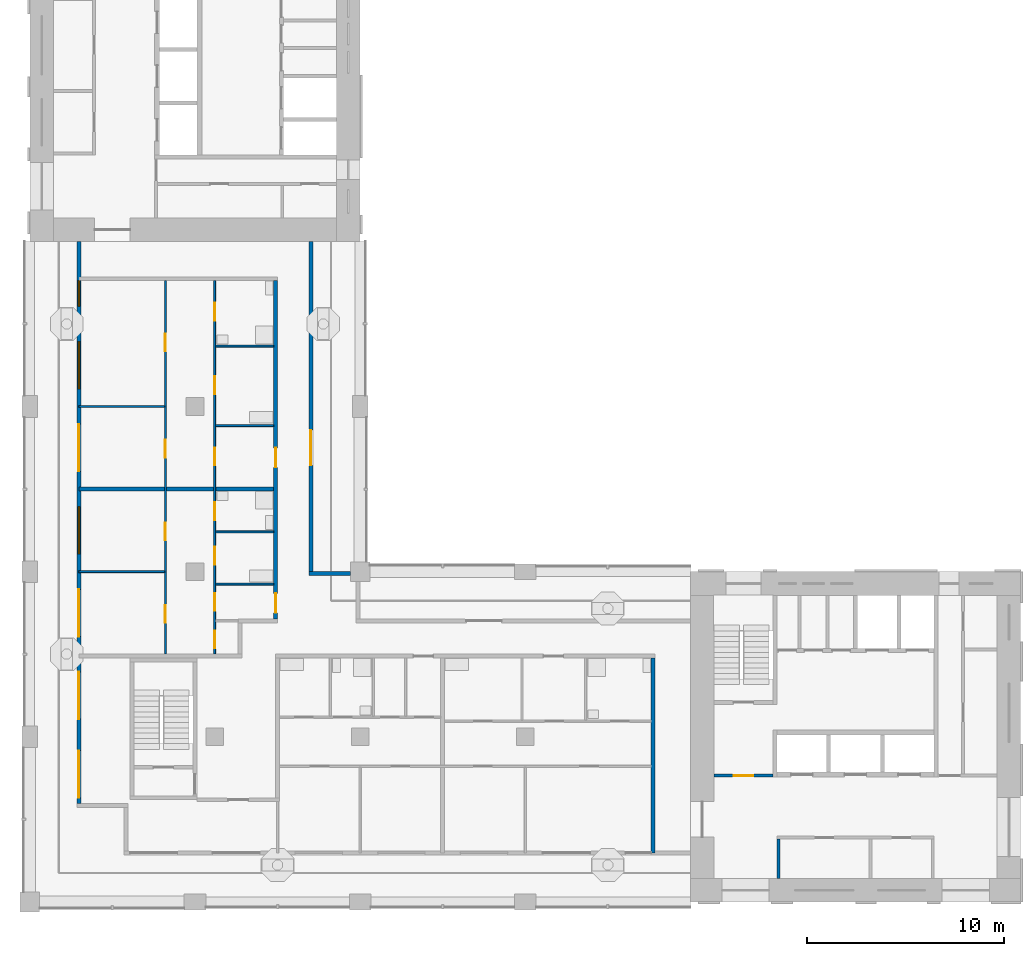
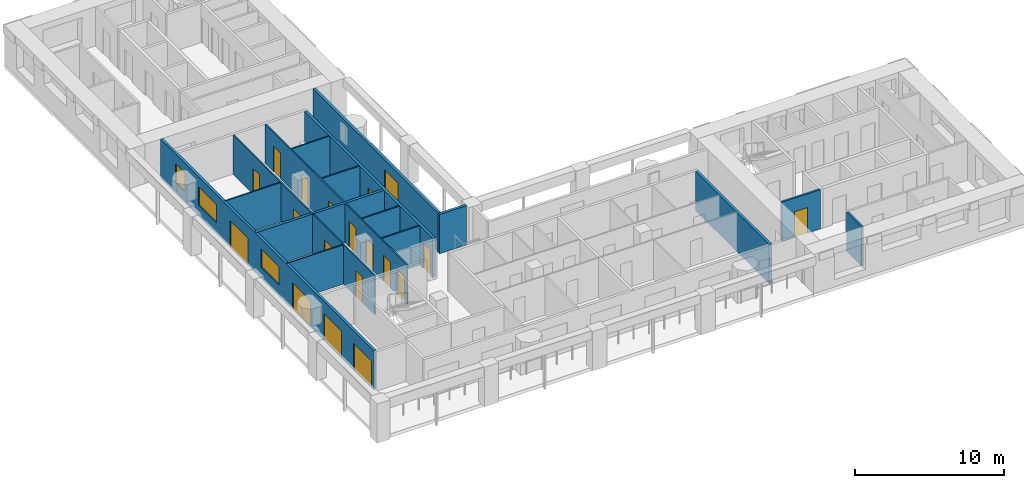
# One storey, part 3 of 12: 19 doors, 16 walls, 3 windows, 22 openings.
"""IFC4 building model written with IfcOpenShell, lengths in metres."""

from ifc_helpers import new_model, si_unit, direction, frame, frame_2d, origin, place, context, subcontext, project, spatial, rectangle, extrude, material, layer, layer_set, type_object, element, fill, save


model = new_model("IFC4")

# Units and contexts
model_context = context("Model", 3, precision=1e-05, world=origin(), true_north=direction((0.0, 1.0)))
body_context = subcontext(model_context, "Body", "Model", "MODEL_VIEW")
ifc_project = project(units=[si_unit("LENGTHUNIT", "METRE"), si_unit("AREAUNIT", "SQUARE_METRE"), si_unit("VOLUMEUNIT", "CUBIC_METRE"), si_unit("PLANEANGLEUNIT", "RADIAN"), si_unit("MASSUNIT", "GRAM", prefix="KILO")], contexts=[model_context])

# Site, building, storey
site_placement = place(None, origin())
site = spatial("IfcSite", under=ifc_project, at=site_placement, CompositionType="ELEMENT")
building_placement = place(site_placement, origin())
building = spatial("IfcBuilding", under=site, at=building_placement, Name="Vermilion Gate Residences", CompositionType="ELEMENT")
storey_placement = place(building_placement, frame((0.0, 0.0, 217.699951171875)))
storey = spatial("IfcBuildingStorey", under=building, at=storey_placement, Name="L56", CompositionType="ELEMENT", Elevation=217.699951171875)

# Wall
ifc_material_1 = material(Name="Masonry blockwork", Category="masonry")
ifc_layer_1 = layer(ifc_material_1, 0.14990234375)
ifc_layer_set_1 = layer_set([ifc_layer_1], Name="BLOCKWORK PARTITION 150 EI 120")
wall_type_1 = type_object("IfcWallType", Name="BLOCKWORK PARTITION 150 EI 120", PredefinedType="PARTITIONING", material=ifc_layer_set_1)
wall_1_placement = place(storey_placement, frame((46.47509765625, 9.60009765625, 0.0), z_axis=(0.0, 0.0, 1.0), x_axis=(0.0, 1.0, 0.0)))
element("IfcWall", 1, at=wall_1_placement, inside=storey, type_object=wall_type_1, Name="Core room partition A56-RW-W", PredefinedType="PARTITIONING", context=body_context, shape_type="SweptSolid", body=[
    extrude(rectangle(XDim=2.0, YDim=0.14990234375, at=frame_2d((1.0, 0.0))), origin(), (0.0, 0.0, 1.0), 3.219970703125),
])

# Wall, opening, door
wall_2_placement = place(storey_placement, frame((43.199951171875, 14.824951171875, 0.0), z_axis=(0.0, 0.0, 1.0), x_axis=(1.0, 0.0, 0.0)))
wall_2 = element("IfcWall", 2, at=wall_2_placement, inside=storey, type_object=wall_type_1, Name="Core room partition A56-VW-S", PredefinedType="PARTITIONING", context=body_context, shape_type="SweptSolid", body=[
    extrude(rectangle(XDim=3.0, YDim=0.14990234375, at=frame_2d((1.5, 0.0))), origin(), (0.0, 0.0, 1.0), 3.219970703125),
])
opening_1_placement = place(wall_2_placement, frame((1.0, 0.0, 0.0)))
opening_1 = element("IfcOpeningElement", 3, at=opening_1_placement, cuts=wall_2, Name="Opening DK56012", PredefinedType="OPENING", context=body_context, shape_type="SweptSolid", body=[
    extrude(rectangle(XDim=1.0, YDim=2.10009765625, at=frame_2d((0.5, 1.050048828125))), frame((0.0, 0.0849609375, 0.0), z_axis=(0.0, -1.0, 0.0), x_axis=(1.0, 0.0, 0.0)), (0.0, 0.0, 1.0), 0.169921875),
])
ifc_material_2 = material(Name="Steel", Category="steel")
door_type_1 = type_object("IfcDoorType", Name="FIRE DOOR FD60 1000 X 2100", OperationType="SINGLE_SWING_LEFT", PredefinedType="DOOR", material=ifc_material_2)
door_1_placement = place(opening_1_placement, frame((1.0, 0.0, 0.0), z_axis=(0.0, 0.0, 1.0), x_axis=(-1.0, 0.0, 0.0)))
door_1 = element("IfcDoor", 4, at=door_1_placement, inside=storey, type_object=door_type_1, Name="Stair vestibule door A56", OperationType="SINGLE_SWING_RIGHT", OverallHeight=2.10009765625, OverallWidth=1.0, PredefinedType="DOOR", context=body_context, shape_type="SweptSolid", body=[
    extrude(rectangle(XDim=1.0, YDim=2.10009765625, at=frame_2d((0.5, 1.050048828125))), frame((0.0, 0.02490234375, 0.0), z_axis=(0.0, -1.0, 0.0), x_axis=(1.0, 0.0, 0.0)), (0.0, 0.0, 1.0), 0.050048828125),
])
fill(opening_1, door_1)

# Wall, openings, doors, windows
ifc_material_3 = material(Name="Insulated steel stud wall with terracotta rainscreen", Category="masonry")
ifc_layer_2 = layer(ifc_material_3, 0.199951171875)
ifc_layer_set_2 = layer_set([ifc_layer_2], Name="EXTERNAL WALL 200 TERRACOTTA RAINSCREEN")
wall_type_2 = type_object("IfcWallType", Name="EXTERNAL WALL 200 TERRACOTTA RAINSCREEN", PredefinedType="SOLIDWALL", material=ifc_layer_set_2)
wall_3_placement = place(storey_placement, frame((10.89990234375, 42.0, 0.0), z_axis=(0.0, 0.0, 1.0), x_axis=(0.0, -1.0, 0.0)))
wall_3 = element("IfcWall", 5, at=wall_3_placement, inside=storey, type_object=wall_type_2, Name="External wall", PredefinedType="SOLIDWALL", context=body_context, shape_type="SweptSolid", body=[
    extrude(rectangle(XDim=28.60009765625, YDim=0.199951171875, at=frame_2d((14.300048828125, 0.0))), origin(), (0.0, 0.0, 1.0), 3.219970703125),
])
opening_2_placement = place(wall_3_placement, frame((25.89990234375, 0.0, 0.0)))
opening_2 = element("IfcOpeningElement", 6, at=opening_2_placement, cuts=wall_3, Name="Opening DE56001", PredefinedType="OPENING", context=body_context, shape_type="SweptSolid", body=[
    extrude(rectangle(XDim=2.39990234375, YDim=2.199951171875, at=frame_2d((1.199951171875, 1.10009765625))), frame((0.0, 0.10986328125, 0.0), z_axis=(0.0, -1.0, 0.0), x_axis=(1.0, 0.0, 0.0)), (0.0, 0.0, 1.0), 0.219970703125),
])
opening_3_placement = place(wall_3_placement, frame((21.89990234375, 0.0, 0.0)))
opening_3 = element("IfcOpeningElement", 7, at=opening_3_placement, cuts=wall_3, Name="Opening DE56002", PredefinedType="OPENING", context=body_context, shape_type="SweptSolid", body=[
    extrude(rectangle(XDim=2.39990234375, YDim=2.199951171875, at=frame_2d((1.199951171875, 1.10009765625))), frame((0.0, 0.10986328125, 0.0), z_axis=(0.0, -1.0, 0.0), x_axis=(1.0, 0.0, 0.0)), (0.0, 0.0, 1.0), 0.219970703125),
])
opening_4_placement = place(wall_3_placement, frame((17.699951171875, 0.0, 0.0)))
opening_4 = element("IfcOpeningElement", 8, at=opening_4_placement, cuts=wall_3, Name="Opening DE56003", PredefinedType="OPENING", context=body_context, shape_type="SweptSolid", body=[
    extrude(rectangle(XDim=2.39990234375, YDim=2.199951171875, at=frame_2d((1.199951171875, 1.10009765625))), frame((0.0, 0.10986328125, 0.0), z_axis=(0.0, -1.0, 0.0), x_axis=(1.0, 0.0, 0.0)), (0.0, 0.0, 1.0), 0.219970703125),
])
opening_5_placement = place(wall_3_placement, frame((13.5, 0.0, 0.89990234375)))
opening_5 = element("IfcOpeningElement", 9, at=opening_5_placement, cuts=wall_3, Name="Opening WE56004", PredefinedType="OPENING", context=body_context, shape_type="SweptSolid", body=[
    extrude(rectangle(XDim=2.39990234375, YDim=1.5, at=frame_2d((1.199951171875, 0.75))), frame((0.0, 0.10986328125, 0.0), z_axis=(0.0, -1.0, 0.0), x_axis=(1.0, 0.0, 0.0)), (0.0, 0.0, 1.0), 0.219970703125),
])
opening_6_placement = place(wall_3_placement, frame((9.300048828125, 0.0, 0.0)))
opening_6 = element("IfcOpeningElement", 10, at=opening_6_placement, cuts=wall_3, Name="Opening DE56005", PredefinedType="OPENING", context=body_context, shape_type="SweptSolid", body=[
    extrude(rectangle(XDim=2.39990234375, YDim=2.199951171875, at=frame_2d((1.199951171875, 1.10009765625))), frame((0.0, 0.10986328125, 0.0), z_axis=(0.0, -1.0, 0.0), x_axis=(1.0, 0.0, 0.0)), (0.0, 0.0, 1.0), 0.219970703125),
])
opening_7_placement = place(wall_3_placement, frame((5.10009765625, 0.0, 0.89990234375)))
opening_7 = element("IfcOpeningElement", 11, at=opening_7_placement, cuts=wall_3, Name="Opening WE56006", PredefinedType="OPENING", context=body_context, shape_type="SweptSolid", body=[
    extrude(rectangle(XDim=2.39990234375, YDim=1.5, at=frame_2d((1.199951171875, 0.75))), frame((0.0, 0.10986328125, 0.0), z_axis=(0.0, -1.0, 0.0), x_axis=(1.0, 0.0, 0.0)), (0.0, 0.0, 1.0), 0.219970703125),
])
opening_8_placement = place(wall_3_placement, frame((2.0, 0.0, 0.89990234375)))
opening_8 = element("IfcOpeningElement", 12, at=opening_8_placement, cuts=wall_3, Name="Opening WE56007", PredefinedType="OPENING", context=body_context, shape_type="SweptSolid", body=[
    extrude(rectangle(XDim=1.300048828125, YDim=1.5, at=frame_2d((0.64990234375, 0.75))), frame((0.0, 0.10986328125, 0.0), z_axis=(0.0, -1.0, 0.0), x_axis=(1.0, 0.0, 0.0)), (0.0, 0.0, 1.0), 0.219970703125),
])
ifc_material_4 = material(Name="Aluminium and clear glass", Category="aluminium")
door_type_2 = type_object("IfcDoorType", Name="SLIDING GLAZED DOOR 2400 X 2200", OperationType="DOUBLE_DOOR_SLIDING", PredefinedType="DOOR", material=ifc_material_4)
door_2_placement = place(opening_2_placement, origin())
door_2 = element("IfcDoor", 13, at=door_2_placement, inside=storey, type_object=door_type_2, Name="Loggia sliding door", OperationType="DOUBLE_DOOR_SLIDING", OverallHeight=2.199951171875, OverallWidth=2.39990234375, PredefinedType="DOOR", context=body_context, shape_type="SweptSolid", body=[
    extrude(rectangle(XDim=2.39990234375, YDim=2.199951171875, at=frame_2d((1.199951171875, 1.10009765625))), frame((0.0, 0.02490234375, 0.0), z_axis=(0.0, -1.0, 0.0), x_axis=(1.0, 0.0, 0.0)), (0.0, 0.0, 1.0), 0.050048828125),
])
fill(opening_2, door_2)
door_3_placement = place(opening_3_placement, origin())
door_3 = element("IfcDoor", 14, at=door_3_placement, inside=storey, type_object=door_type_2, Name="Loggia sliding door", OperationType="DOUBLE_DOOR_SLIDING", OverallHeight=2.199951171875, OverallWidth=2.39990234375, PredefinedType="DOOR", context=body_context, shape_type="SweptSolid", body=[
    extrude(rectangle(XDim=2.39990234375, YDim=2.199951171875, at=frame_2d((1.199951171875, 1.10009765625))), frame((0.0, 0.02490234375, 0.0), z_axis=(0.0, -1.0, 0.0), x_axis=(1.0, 0.0, 0.0)), (0.0, 0.0, 1.0), 0.050048828125),
])
fill(opening_3, door_3)
door_4_placement = place(opening_4_placement, origin())
door_4 = element("IfcDoor", 15, at=door_4_placement, inside=storey, type_object=door_type_2, Name="Loggia sliding door", OperationType="DOUBLE_DOOR_SLIDING", OverallHeight=2.199951171875, OverallWidth=2.39990234375, PredefinedType="DOOR", context=body_context, shape_type="SweptSolid", body=[
    extrude(rectangle(XDim=2.39990234375, YDim=2.199951171875, at=frame_2d((1.199951171875, 1.10009765625))), frame((0.0, 0.02490234375, 0.0), z_axis=(0.0, -1.0, 0.0), x_axis=(1.0, 0.0, 0.0)), (0.0, 0.0, 1.0), 0.050048828125),
])
fill(opening_4, door_4)
door_5_placement = place(opening_6_placement, origin())
door_5 = element("IfcDoor", 16, at=door_5_placement, inside=storey, type_object=door_type_2, Name="Loggia sliding door", OperationType="DOUBLE_DOOR_SLIDING", OverallHeight=2.199951171875, OverallWidth=2.39990234375, PredefinedType="DOOR", context=body_context, shape_type="SweptSolid", body=[
    extrude(rectangle(XDim=2.39990234375, YDim=2.199951171875, at=frame_2d((1.199951171875, 1.10009765625))), frame((0.0, 0.02490234375, 0.0), z_axis=(0.0, -1.0, 0.0), x_axis=(1.0, 0.0, 0.0)), (0.0, 0.0, 1.0), 0.050048828125),
])
fill(opening_6, door_5)
ifc_material_5 = material(Name="Aluminium and clear glass", Category="aluminium")
window_type_1 = type_object("IfcWindowType", Name="WINDOW 1300 X 1500", PartitioningType="SINGLE_PANEL", PredefinedType="WINDOW", material=ifc_material_5)
window_1_placement = place(opening_8_placement, origin())
window_1 = element("IfcWindow", 17, at=window_1_placement, inside=storey, type_object=window_type_1, Name="Window", OverallHeight=1.5, OverallWidth=1.300048828125, PartitioningType="SINGLE_PANEL", PredefinedType="WINDOW", context=body_context, shape_type="SweptSolid", body=[
    extrude(rectangle(XDim=1.300048828125, YDim=1.5, at=frame_2d((0.64990234375, 0.75))), frame((0.0, 0.030029296875, 0.0), z_axis=(0.0, -1.0, 0.0), x_axis=(1.0, 0.0, 0.0)), (0.0, 0.0, 1.0), 0.06005859375),
])
fill(opening_8, window_1)
ifc_material_6 = material(Name="Aluminium and clear glass", Category="aluminium")
window_type_2 = type_object("IfcWindowType", Name="WINDOW 2400 X 1500", PartitioningType="SINGLE_PANEL", PredefinedType="WINDOW", material=ifc_material_6)
window_2_placement = place(opening_5_placement, origin())
window_2 = element("IfcWindow", 18, at=window_2_placement, inside=storey, type_object=window_type_2, Name="Window", OverallHeight=1.5, OverallWidth=2.39990234375, PartitioningType="SINGLE_PANEL", PredefinedType="WINDOW", context=body_context, shape_type="SweptSolid", body=[
    extrude(rectangle(XDim=2.39990234375, YDim=1.5, at=frame_2d((1.199951171875, 0.75))), frame((0.0, 0.030029296875, 0.0), z_axis=(0.0, -1.0, 0.0), x_axis=(1.0, 0.0, 0.0)), (0.0, 0.0, 1.0), 0.06005859375),
])
fill(opening_5, window_2)
window_3_placement = place(opening_7_placement, origin())
window_3 = element("IfcWindow", 19, at=window_3_placement, inside=storey, type_object=window_type_2, Name="Window", OverallHeight=1.5, OverallWidth=2.39990234375, PartitioningType="SINGLE_PANEL", PredefinedType="WINDOW", context=body_context, shape_type="SweptSolid", body=[
    extrude(rectangle(XDim=2.39990234375, YDim=1.5, at=frame_2d((1.199951171875, 0.75))), frame((0.0, 0.030029296875, 0.0), z_axis=(0.0, -1.0, 0.0), x_axis=(1.0, 0.0, 0.0)), (0.0, 0.0, 1.0), 0.06005859375),
])
fill(opening_7, window_3)

# Wall
wall_4_placement = place(storey_placement, frame((24.699951171875, 25.10009765625, 0.0), z_axis=(0.0, 0.0, 1.0), x_axis=(-1.0, 0.0, 0.0)))
element("IfcWall", 20, at=wall_4_placement, inside=storey, type_object=wall_type_2, Name="External wall", PredefinedType="SOLIDWALL", context=body_context, shape_type="SweptSolid", body=[
    extrude(rectangle(XDim=2.099853515625, YDim=0.199951171875, at=frame_2d((1.0498046875, 0.0))), origin(), (0.0, 0.0, 1.0), 3.219970703125),
])

# Wall, opening, door
wall_5_placement = place(storey_placement, frame((22.699951171875, 25.199951171875, 0.0), z_axis=(0.0, 0.0, 1.0), x_axis=(0.0, 1.0, 0.0)))
wall_5 = element("IfcWall", 21, at=wall_5_placement, inside=storey, type_object=wall_type_2, Name="External wall", PredefinedType="SOLIDWALL", context=body_context, shape_type="SweptSolid", body=[
    extrude(rectangle(XDim=16.800048828125, YDim=0.199951171875, at=frame_2d((8.39990234375, 0.0))), origin(), (0.0, 0.0, 1.0), 3.219970703125),
])
opening_9_placement = place(wall_5_placement, frame((5.39990234375, 0.0, 0.0)))
opening_9 = element("IfcOpeningElement", 22, at=opening_9_placement, cuts=wall_5, Name="Opening DE56016", PredefinedType="OPENING", context=body_context, shape_type="SweptSolid", body=[
    extrude(rectangle(XDim=1.800048828125, YDim=2.39990234375, at=frame_2d((0.89990234375, 1.199951171875))), frame((0.0, 0.10986328125, 0.0), z_axis=(0.0, -1.0, 0.0), x_axis=(1.0, 0.0, 0.0)), (0.0, 0.0, 1.0), 0.219970703125),
])
ifc_material_7 = material(Name="Aluminium and clear glass", Category="aluminium")
door_type_3 = type_object("IfcDoorType", Name="GLAZED EXTERNAL DOOR 1800 X 2400", OperationType="DOUBLE_DOOR_SINGLE_SWING", PredefinedType="DOOR", material=ifc_material_7)
door_6_placement = place(opening_9_placement, frame((1.800048828125, 0.0, 0.0), z_axis=(0.0, 0.0, 1.0), x_axis=(-1.0, 0.0, 0.0)))
door_6 = element("IfcDoor", 23, at=door_6_placement, inside=storey, type_object=door_type_3, Name="Gallery door", OperationType="DOUBLE_DOOR_SINGLE_SWING", OverallHeight=2.39990234375, OverallWidth=1.800048828125, PredefinedType="DOOR", context=body_context, shape_type="SweptSolid", body=[
    extrude(rectangle(XDim=1.800048828125, YDim=2.39990234375, at=frame_2d((0.89990234375, 1.199951171875))), frame((0.0, 0.02490234375, 0.0), z_axis=(0.0, -1.0, 0.0), x_axis=(1.0, 0.0, 0.0)), (0.0, 0.0, 1.0), 0.050048828125),
])
fill(opening_9, door_6)

# Walls
ifc_material_8 = material(Name="Plasterboard on steel studs", Category="steel")
ifc_layer_3 = layer(ifc_material_8, 0.10009765625)
ifc_layer_set_3 = layer_set([ifc_layer_3], Name="PARTITION 100")
wall_type_3 = type_object("IfcWallType", Name="PARTITION 100", PredefinedType="PARTITIONING", material=ifc_layer_set_3)
wall_6_placement = place(storey_placement, frame((17.85009765625, 24.56298828125, 0.0), z_axis=(0.0, 0.0, 1.0), x_axis=(1.0, 0.0, 0.0)))
element("IfcWall", 24, at=wall_6_placement, inside=storey, type_object=wall_type_3, Name="Partition", PredefinedType="PARTITIONING", context=body_context, shape_type="SweptSolid", body=[
    extrude(rectangle(XDim=2.949951171875, YDim=0.10009765625, at=frame_2d((1.47509765625, 0.0))), origin(), (0.0, 0.0, 1.0), 3.219970703125),
])
wall_7_placement = place(storey_placement, frame((10.89990234375, 25.199951171875, 0.0), z_axis=(0.0, 0.0, 1.0), x_axis=(1.0, 0.0, 0.0)))
element("IfcWall", 25, at=wall_7_placement, inside=storey, type_object=wall_type_3, Name="Partition", PredefinedType="PARTITIONING", context=body_context, shape_type="SweptSolid", body=[
    extrude(rectangle(XDim=4.35009765625, YDim=0.10009765625, at=frame_2d((2.175048828125, 0.0))), origin(), (0.0, 0.0, 1.0), 3.219970703125),
])
for number, where, z_axis, x_axis, name in (
    (26, (17.85009765625, 27.22509765625, 0.0), (0.0, 0.0, 1.0), (1.0, 0.0, 0.0), "Partition"),
    (27, (17.85009765625, 32.633056640625, 0.0), (0.0, 0.0, 1.0), (1.0, 0.0, 0.0), "Partition"),
):
    element("IfcWall", number, at=place(storey_placement, frame(where, z_axis=z_axis, x_axis=x_axis)), inside=storey, type_object=wall_type_3, Name=name, PredefinedType="PARTITIONING", context=body_context, shape_type="SweptSolid", body=[
        extrude(rectangle(XDim=2.949951171875, YDim=0.10009765625, at=frame_2d((1.47509765625, 0.0))), origin(), (0.0, 0.0, 1.0), 3.219970703125),
    ])
wall_8_placement = place(storey_placement, frame((10.89990234375, 33.60009765625, 0.0), z_axis=(0.0, 0.0, 1.0), x_axis=(1.0, 0.0, 0.0)))
element("IfcWall", 28, at=wall_8_placement, inside=storey, type_object=wall_type_3, Name="Partition", PredefinedType="PARTITIONING", context=body_context, shape_type="SweptSolid", body=[
    extrude(rectangle(XDim=4.35009765625, YDim=0.10009765625, at=frame_2d((2.175048828125, 0.0))), origin(), (0.0, 0.0, 1.0), 3.219970703125),
])
wall_9_placement = place(storey_placement, frame((17.85009765625, 36.6669921875, 0.0), z_axis=(0.0, 0.0, 1.0), x_axis=(1.0, 0.0, 0.0)))
element("IfcWall", 29, at=wall_9_placement, inside=storey, type_object=wall_type_3, Name="Partition", PredefinedType="PARTITIONING", context=body_context, shape_type="SweptSolid", body=[
    extrude(rectangle(XDim=2.949951171875, YDim=0.10009765625, at=frame_2d((1.47509765625, 0.0))), origin(), (0.0, 0.0, 1.0), 3.219970703125),
])

# Wall, openings, doors
wall_10_placement = place(storey_placement, frame((15.300048828125, 21.0, 0.0), z_axis=(0.0, 0.0, 1.0), x_axis=(0.0, 1.0, 0.0)))
wall_10 = element("IfcWall", 30, at=wall_10_placement, inside=storey, type_object=wall_type_3, Name="Partition", PredefinedType="PARTITIONING", context=body_context, shape_type="SweptSolid", body=[
    extrude(rectangle(XDim=19.0, YDim=0.10009765625, at=frame_2d((9.5, 0.0))), origin(), (0.0, 0.0, 1.0), 3.219970703125),
])
opening_10_placement = place(wall_10_placement, frame((1.60009765625, 0.0, 0.0)))
opening_10 = element("IfcOpeningElement", 31, at=opening_10_placement, cuts=wall_10, Name="Opening DA55015", PredefinedType="OPENING", context=body_context, shape_type="SweptSolid", body=[
    extrude(rectangle(XDim=0.89990234375, YDim=2.10009765625, at=frame_2d((0.449951171875, 1.050048828125))), frame((0.0, 0.06005859375, 0.0), z_axis=(0.0, -1.0, 0.0), x_axis=(1.0, 0.0, 0.0)), (0.0, 0.0, 1.0), 0.1201171875),
])
opening_11_placement = place(wall_10_placement, frame((5.800048828125, 0.0, 0.0)))
opening_11 = element("IfcOpeningElement", 32, at=opening_11_placement, cuts=wall_10, Name="Opening DA55016", PredefinedType="OPENING", context=body_context, shape_type="SweptSolid", body=[
    extrude(rectangle(XDim=0.89990234375, YDim=2.10009765625, at=frame_2d((0.449951171875, 1.050048828125))), frame((0.0, 0.06005859375, 0.0), z_axis=(0.0, -1.0, 0.0), x_axis=(1.0, 0.0, 0.0)), (0.0, 0.0, 1.0), 0.1201171875),
])
opening_12_placement = place(wall_10_placement, frame((10.0, 0.0, 0.0)))
opening_12 = element("IfcOpeningElement", 33, at=opening_12_placement, cuts=wall_10, Name="Opening DA55017", PredefinedType="OPENING", context=body_context, shape_type="SweptSolid", body=[
    extrude(rectangle(XDim=0.89990234375, YDim=2.10009765625, at=frame_2d((0.449951171875, 1.050048828125))), frame((0.0, 0.06005859375, 0.0), z_axis=(0.0, -1.0, 0.0), x_axis=(1.0, 0.0, 0.0)), (0.0, 0.0, 1.0), 0.1201171875),
])
opening_13_placement = place(wall_10_placement, frame((15.39990234375, 0.0, 0.0)))
opening_13 = element("IfcOpeningElement", 34, at=opening_13_placement, cuts=wall_10, Name="Opening DA55018", PredefinedType="OPENING", context=body_context, shape_type="SweptSolid", body=[
    extrude(rectangle(XDim=0.89990234375, YDim=2.10009765625, at=frame_2d((0.449951171875, 1.050048828125))), frame((0.0, 0.06005859375, 0.0), z_axis=(0.0, -1.0, 0.0), x_axis=(1.0, 0.0, 0.0)), (0.0, 0.0, 1.0), 0.1201171875),
])
ifc_material_9 = material(Name="Timber", Category="wood")
door_type_4 = type_object("IfcDoorType", Name="INTERIOR DOOR 900 X 2100", OperationType="SINGLE_SWING_LEFT", PredefinedType="DOOR", material=ifc_material_9)
door_7_placement = place(opening_10_placement, origin())
door_7 = element("IfcDoor", 35, at=door_7_placement, inside=storey, type_object=door_type_4, Name="Interior door", OperationType="SINGLE_SWING_LEFT", OverallHeight=2.10009765625, OverallWidth=0.89990234375, PredefinedType="DOOR", context=body_context, shape_type="SweptSolid", body=[
    extrude(rectangle(XDim=0.89990234375, YDim=2.10009765625, at=frame_2d((0.449951171875, 1.050048828125))), frame((0.0, 0.02490234375, 0.0), z_axis=(0.0, -1.0, 0.0), x_axis=(1.0, 0.0, 0.0)), (0.0, 0.0, 1.0), 0.050048828125),
])
fill(opening_10, door_7)
door_8_placement = place(opening_11_placement, origin())
door_8 = element("IfcDoor", 36, at=door_8_placement, inside=storey, type_object=door_type_4, Name="Interior door", OperationType="SINGLE_SWING_LEFT", OverallHeight=2.10009765625, OverallWidth=0.89990234375, PredefinedType="DOOR", context=body_context, shape_type="SweptSolid", body=[
    extrude(rectangle(XDim=0.89990234375, YDim=2.10009765625, at=frame_2d((0.449951171875, 1.050048828125))), frame((0.0, 0.02490234375, 0.0), z_axis=(0.0, -1.0, 0.0), x_axis=(1.0, 0.0, 0.0)), (0.0, 0.0, 1.0), 0.050048828125),
])
fill(opening_11, door_8)
door_9_placement = place(opening_12_placement, origin())
door_9 = element("IfcDoor", 37, at=door_9_placement, inside=storey, type_object=door_type_4, Name="Interior door", OperationType="SINGLE_SWING_LEFT", OverallHeight=2.10009765625, OverallWidth=0.89990234375, PredefinedType="DOOR", context=body_context, shape_type="SweptSolid", body=[
    extrude(rectangle(XDim=0.89990234375, YDim=2.10009765625, at=frame_2d((0.449951171875, 1.050048828125))), frame((0.0, 0.02490234375, 0.0), z_axis=(0.0, -1.0, 0.0), x_axis=(1.0, 0.0, 0.0)), (0.0, 0.0, 1.0), 0.050048828125),
])
fill(opening_12, door_9)
door_10_placement = place(opening_13_placement, origin())
door_10 = element("IfcDoor", 38, at=door_10_placement, inside=storey, type_object=door_type_4, Name="Interior door", OperationType="SINGLE_SWING_RIGHT", OverallHeight=2.10009765625, OverallWidth=0.89990234375, PredefinedType="DOOR", context=body_context, shape_type="SweptSolid", body=[
    extrude(rectangle(XDim=0.89990234375, YDim=2.10009765625, at=frame_2d((0.449951171875, 1.050048828125))), frame((0.0, 0.02490234375, 0.0), z_axis=(0.0, -1.0, 0.0), x_axis=(1.0, 0.0, 0.0)), (0.0, 0.0, 1.0), 0.050048828125),
])
fill(opening_13, door_10)

wall_11_placement = place(storey_placement, frame((17.800048828125, 21.0, 0.0), z_axis=(0.0, 0.0, 1.0), x_axis=(0.0, 1.0, 0.0)))
wall_11 = element("IfcWall", 39, at=wall_11_placement, inside=storey, type_object=wall_type_3, Name="Partition", PredefinedType="PARTITIONING", context=body_context, shape_type="SweptSolid", body=[
    extrude(rectangle(XDim=19.0, YDim=0.10009765625, at=frame_2d((9.5, 0.0))), origin(), (0.0, 0.0, 1.0), 3.219970703125),
])
opening_14_placement = place(wall_11_placement, frame((2.199951171875, 0.0, 0.0)))
opening_14 = element("IfcOpeningElement", 40, at=opening_14_placement, cuts=wall_11, Name="Opening DA55019", PredefinedType="OPENING", context=body_context, shape_type="SweptSolid", body=[
    extrude(rectangle(XDim=0.89990234375, YDim=2.10009765625, at=frame_2d((0.449951171875, 1.050048828125))), frame((0.0, 0.06005859375, 0.0), z_axis=(0.0, -1.0, 0.0), x_axis=(1.0, 0.0, 0.0)), (0.0, 0.0, 1.0), 0.1201171875),
])
opening_15_placement = place(wall_11_placement, frame((0.300048828125, 0.0, 0.0)))
opening_15 = element("IfcOpeningElement", 41, at=opening_15_placement, cuts=wall_11, Name="Opening DA55020", PredefinedType="OPENING", context=body_context, shape_type="SweptSolid", body=[
    extrude(rectangle(XDim=0.89990234375, YDim=2.10009765625, at=frame_2d((0.449951171875, 1.050048828125))), frame((0.0, 0.06005859375, 0.0), z_axis=(0.0, -1.0, 0.0), x_axis=(1.0, 0.0, 0.0)), (0.0, 0.0, 1.0), 0.1201171875),
])
opening_16_placement = place(wall_11_placement, frame((4.56298828125, 0.0, 0.0)))
opening_16 = element("IfcOpeningElement", 42, at=opening_16_placement, cuts=wall_11, Name="Opening DA55021", PredefinedType="OPENING", context=body_context, shape_type="SweptSolid", body=[
    extrude(rectangle(XDim=0.89990234375, YDim=2.10009765625, at=frame_2d((0.449951171875, 1.050048828125))), frame((0.0, 0.06005859375, 0.0), z_axis=(0.0, -1.0, 0.0), x_axis=(1.0, 0.0, 0.0)), (0.0, 0.0, 1.0), 0.1201171875),
])
opening_17_placement = place(wall_11_placement, frame((6.824951171875, 0.0, 0.0)))
opening_17 = element("IfcOpeningElement", 43, at=opening_17_placement, cuts=wall_11, Name="Opening DA55022", PredefinedType="OPENING", context=body_context, shape_type="SweptSolid", body=[
    extrude(rectangle(XDim=0.89990234375, YDim=2.10009765625, at=frame_2d((0.449951171875, 1.050048828125))), frame((0.0, 0.06005859375, 0.0), z_axis=(0.0, -1.0, 0.0), x_axis=(1.0, 0.0, 0.0)), (0.0, 0.0, 1.0), 0.1201171875),
])
opening_18_placement = place(wall_11_placement, frame((9.60009765625, 0.0, 0.0)))
opening_18 = element("IfcOpeningElement", 44, at=opening_18_placement, cuts=wall_11, Name="Opening DA55023", PredefinedType="OPENING", context=body_context, shape_type="SweptSolid", body=[
    extrude(rectangle(XDim=0.89990234375, YDim=2.10009765625, at=frame_2d((0.449951171875, 1.050048828125))), frame((0.0, 0.06005859375, 0.0), z_axis=(0.0, -1.0, 0.0), x_axis=(1.0, 0.0, 0.0)), (0.0, 0.0, 1.0), 0.1201171875),
])
opening_19_placement = place(wall_11_placement, frame((13.23291015625, 0.0, 0.0)))
opening_19 = element("IfcOpeningElement", 45, at=opening_19_placement, cuts=wall_11, Name="Opening DA55024", PredefinedType="OPENING", context=body_context, shape_type="SweptSolid", body=[
    extrude(rectangle(XDim=0.89990234375, YDim=2.10009765625, at=frame_2d((0.449951171875, 1.050048828125))), frame((0.0, 0.06005859375, 0.0), z_axis=(0.0, -1.0, 0.0), x_axis=(1.0, 0.0, 0.0)), (0.0, 0.0, 1.0), 0.1201171875),
])
opening_20_placement = place(wall_11_placement, frame((16.967041015625, 0.0, 0.0)))
opening_20 = element("IfcOpeningElement", 46, at=opening_20_placement, cuts=wall_11, Name="Opening DA55025", PredefinedType="OPENING", context=body_context, shape_type="SweptSolid", body=[
    extrude(rectangle(XDim=0.89990234375, YDim=2.10009765625, at=frame_2d((0.449951171875, 1.050048828125))), frame((0.0, 0.06005859375, 0.0), z_axis=(0.0, -1.0, 0.0), x_axis=(1.0, 0.0, 0.0)), (0.0, 0.0, 1.0), 0.1201171875),
])
door_11_placement = place(opening_14_placement, frame((0.89990234375, 0.0, 0.0), z_axis=(0.0, 0.0, 1.0), x_axis=(-1.0, 0.0, 0.0)))
door_11 = element("IfcDoor", 47, at=door_11_placement, inside=storey, type_object=door_type_4, Name="Interior door", OperationType="SINGLE_SWING_LEFT", OverallHeight=2.10009765625, OverallWidth=0.89990234375, PredefinedType="DOOR", context=body_context, shape_type="SweptSolid", body=[
    extrude(rectangle(XDim=0.89990234375, YDim=2.10009765625, at=frame_2d((0.449951171875, 1.050048828125))), frame((0.0, 0.02490234375, 0.0), z_axis=(0.0, -1.0, 0.0), x_axis=(1.0, 0.0, 0.0)), (0.0, 0.0, 1.0), 0.050048828125),
])
fill(opening_14, door_11)
door_12_placement = place(opening_15_placement, frame((0.89990234375, 0.0, 0.0), z_axis=(0.0, 0.0, 1.0), x_axis=(-1.0, 0.0, 0.0)))
door_12 = element("IfcDoor", 48, at=door_12_placement, inside=storey, type_object=door_type_4, Name="Interior door", OperationType="SINGLE_SWING_RIGHT", OverallHeight=2.10009765625, OverallWidth=0.89990234375, PredefinedType="DOOR", context=body_context, shape_type="SweptSolid", body=[
    extrude(rectangle(XDim=0.89990234375, YDim=2.10009765625, at=frame_2d((0.449951171875, 1.050048828125))), frame((0.0, 0.02490234375, 0.0), z_axis=(0.0, -1.0, 0.0), x_axis=(1.0, 0.0, 0.0)), (0.0, 0.0, 1.0), 0.050048828125),
])
fill(opening_15, door_12)
door_13_placement = place(opening_16_placement, frame((0.89990234375, 0.0, 0.0), z_axis=(0.0, 0.0, 1.0), x_axis=(-1.0, 0.0, 0.0)))
door_13 = element("IfcDoor", 49, at=door_13_placement, inside=storey, type_object=door_type_4, Name="Interior door", OperationType="SINGLE_SWING_LEFT", OverallHeight=2.10009765625, OverallWidth=0.89990234375, PredefinedType="DOOR", context=body_context, shape_type="SweptSolid", body=[
    extrude(rectangle(XDim=0.89990234375, YDim=2.10009765625, at=frame_2d((0.449951171875, 1.050048828125))), frame((0.0, 0.02490234375, 0.0), z_axis=(0.0, -1.0, 0.0), x_axis=(1.0, 0.0, 0.0)), (0.0, 0.0, 1.0), 0.050048828125),
])
fill(opening_16, door_13)
door_14_placement = place(opening_17_placement, frame((0.89990234375, 0.0, 0.0), z_axis=(0.0, 0.0, 1.0), x_axis=(-1.0, 0.0, 0.0)))
door_14 = element("IfcDoor", 50, at=door_14_placement, inside=storey, type_object=door_type_4, Name="Interior door", OperationType="SINGLE_SWING_LEFT", OverallHeight=2.10009765625, OverallWidth=0.89990234375, PredefinedType="DOOR", context=body_context, shape_type="SweptSolid", body=[
    extrude(rectangle(XDim=0.89990234375, YDim=2.10009765625, at=frame_2d((0.449951171875, 1.050048828125))), frame((0.0, 0.02490234375, 0.0), z_axis=(0.0, -1.0, 0.0), x_axis=(1.0, 0.0, 0.0)), (0.0, 0.0, 1.0), 0.050048828125),
])
fill(opening_17, door_14)
door_15_placement = place(opening_18_placement, frame((0.89990234375, 0.0, 0.0), z_axis=(0.0, 0.0, 1.0), x_axis=(-1.0, 0.0, 0.0)))
door_15 = element("IfcDoor", 51, at=door_15_placement, inside=storey, type_object=door_type_4, Name="Interior door", OperationType="SINGLE_SWING_LEFT", OverallHeight=2.10009765625, OverallWidth=0.89990234375, PredefinedType="DOOR", context=body_context, shape_type="SweptSolid", body=[
    extrude(rectangle(XDim=0.89990234375, YDim=2.10009765625, at=frame_2d((0.449951171875, 1.050048828125))), frame((0.0, 0.02490234375, 0.0), z_axis=(0.0, -1.0, 0.0), x_axis=(1.0, 0.0, 0.0)), (0.0, 0.0, 1.0), 0.050048828125),
])
fill(opening_18, door_15)
door_16_placement = place(opening_19_placement, frame((0.89990234375, 0.0, 0.0), z_axis=(0.0, 0.0, 1.0), x_axis=(-1.0, 0.0, 0.0)))
door_16 = element("IfcDoor", 52, at=door_16_placement, inside=storey, type_object=door_type_4, Name="Interior door", OperationType="SINGLE_SWING_LEFT", OverallHeight=2.10009765625, OverallWidth=0.89990234375, PredefinedType="DOOR", context=body_context, shape_type="SweptSolid", body=[
    extrude(rectangle(XDim=0.89990234375, YDim=2.10009765625, at=frame_2d((0.449951171875, 1.050048828125))), frame((0.0, 0.02490234375, 0.0), z_axis=(0.0, -1.0, 0.0), x_axis=(1.0, 0.0, 0.0)), (0.0, 0.0, 1.0), 0.050048828125),
])
fill(opening_19, door_16)
door_17_placement = place(opening_20_placement, frame((0.89990234375, 0.0, 0.0), z_axis=(0.0, 0.0, 1.0), x_axis=(-1.0, 0.0, 0.0)))
door_17 = element("IfcDoor", 53, at=door_17_placement, inside=storey, type_object=door_type_4, Name="Interior door", OperationType="SINGLE_SWING_RIGHT", OverallHeight=2.10009765625, OverallWidth=0.89990234375, PredefinedType="DOOR", context=body_context, shape_type="SweptSolid", body=[
    extrude(rectangle(XDim=0.89990234375, YDim=2.10009765625, at=frame_2d((0.449951171875, 1.050048828125))), frame((0.0, 0.02490234375, 0.0), z_axis=(0.0, -1.0, 0.0), x_axis=(1.0, 0.0, 0.0)), (0.0, 0.0, 1.0), 0.050048828125),
])
fill(opening_20, door_17)

# Wall
ifc_material_10 = material(Name="Fire-rated plasterboard on steel studs", Category="steel")
ifc_layer_4 = layer(ifc_material_10, 0.199951171875)
ifc_layer_set_4 = layer_set([ifc_layer_4], Name="PARTY WALL 200 EI 120")
wall_type_4 = type_object("IfcWallType", Name="PARTY WALL 200 EI 120", PredefinedType="PARTITIONING", material=ifc_layer_set_4)
wall_12_placement = place(storey_placement, frame((10.89990234375, 29.39990234375, 0.0), z_axis=(0.0, 0.0, 1.0), x_axis=(1.0, 0.0, 0.0)))
element("IfcWall", 54, at=wall_12_placement, inside=storey, type_object=wall_type_4, Name="Party and corridor wall", PredefinedType="PARTITIONING", context=body_context, shape_type="SweptSolid", body=[
    extrude(rectangle(XDim=9.900146484375, YDim=0.199951171875, at=frame_2d((4.9501953125, 0.0))), origin(), (0.0, 0.0, 1.0), 3.219970703125),
])

# Wall, openings, doors
wall_13_placement = place(storey_placement, frame((20.89990234375, 22.800048828125, 0.0), z_axis=(0.0, 0.0, 1.0), x_axis=(0.0, 1.0, 0.0)))
wall_13 = element("IfcWall", 55, at=wall_13_placement, inside=storey, type_object=wall_type_4, Name="Party and corridor wall", PredefinedType="PARTITIONING", context=body_context, shape_type="SweptSolid", body=[
    extrude(rectangle(XDim=17.199951171875, YDim=0.199951171875, at=frame_2d((8.60009765625, 0.0))), origin(), (0.0, 0.0, 1.0), 3.219970703125),
])
opening_21_placement = place(wall_13_placement, frame((0.300048828125, 0.0, 0.0)))
opening_21 = element("IfcOpeningElement", 56, at=opening_21_placement, cuts=wall_13, Name="Opening DA55026", PredefinedType="OPENING", context=body_context, shape_type="SweptSolid", body=[
    extrude(rectangle(XDim=1.0, YDim=2.10009765625, at=frame_2d((0.5, 1.050048828125))), frame((0.0, 0.10986328125, 0.0), z_axis=(0.0, -1.0, 0.0), x_axis=(1.0, 0.0, 0.0)), (0.0, 0.0, 1.0), 0.219970703125),
])
opening_22_placement = place(wall_13_placement, frame((7.699951171875, 0.0, 0.0)))
opening_22 = element("IfcOpeningElement", 57, at=opening_22_placement, cuts=wall_13, Name="Opening DA55027", PredefinedType="OPENING", context=body_context, shape_type="SweptSolid", body=[
    extrude(rectangle(XDim=1.0, YDim=2.10009765625, at=frame_2d((0.5, 1.050048828125))), frame((0.0, 0.10986328125, 0.0), z_axis=(0.0, -1.0, 0.0), x_axis=(1.0, 0.0, 0.0)), (0.0, 0.0, 1.0), 0.219970703125),
])
ifc_material_11 = material(Name="Steel", Category="steel")
door_type_5 = type_object("IfcDoorType", Name="ENTRANCE DOOR 1000 X 2100 FD30", OperationType="SINGLE_SWING_LEFT", PredefinedType="DOOR", material=ifc_material_11)
door_18_placement = place(opening_21_placement, origin())
door_18 = element("IfcDoor", 58, at=door_18_placement, inside=storey, type_object=door_type_5, Name="Entrance door", OperationType="SINGLE_SWING_LEFT", OverallHeight=2.10009765625, OverallWidth=1.0, PredefinedType="DOOR", context=body_context, shape_type="SweptSolid", body=[
    extrude(rectangle(XDim=1.0, YDim=2.10009765625, at=frame_2d((0.5, 1.050048828125))), frame((0.0, 0.02490234375, 0.0), z_axis=(0.0, -1.0, 0.0), x_axis=(1.0, 0.0, 0.0)), (0.0, 0.0, 1.0), 0.050048828125),
])
fill(opening_21, door_18)
door_19_placement = place(opening_22_placement, origin())
door_19 = element("IfcDoor", 59, at=door_19_placement, inside=storey, type_object=door_type_5, Name="Entrance door", OperationType="SINGLE_SWING_LEFT", OverallHeight=2.10009765625, OverallWidth=1.0, PredefinedType="DOOR", context=body_context, shape_type="SweptSolid", body=[
    extrude(rectangle(XDim=1.0, YDim=2.10009765625, at=frame_2d((0.5, 1.050048828125))), frame((0.0, 0.02490234375, 0.0), z_axis=(0.0, -1.0, 0.0), x_axis=(1.0, 0.0, 0.0)), (0.0, 0.0, 1.0), 0.050048828125),
])
fill(opening_22, door_19)

# Wall
wall_14_placement = place(storey_placement, frame((40.10009765625, 10.89990234375, 0.0), z_axis=(0.0, 0.0, 1.0), x_axis=(0.0, 1.0, 0.0)))
element("IfcWall", 60, at=wall_14_placement, inside=storey, type_object=wall_type_4, Name="Party and corridor wall", PredefinedType="PARTITIONING", context=body_context, shape_type="SweptSolid", body=[
    extrude(rectangle(XDim=9.900146484375, YDim=0.199951171875, at=frame_2d((4.9501953125, 0.0))), origin(), (0.0, 0.0, 1.0), 3.219970703125),
])

save(model, "model.ifc")
